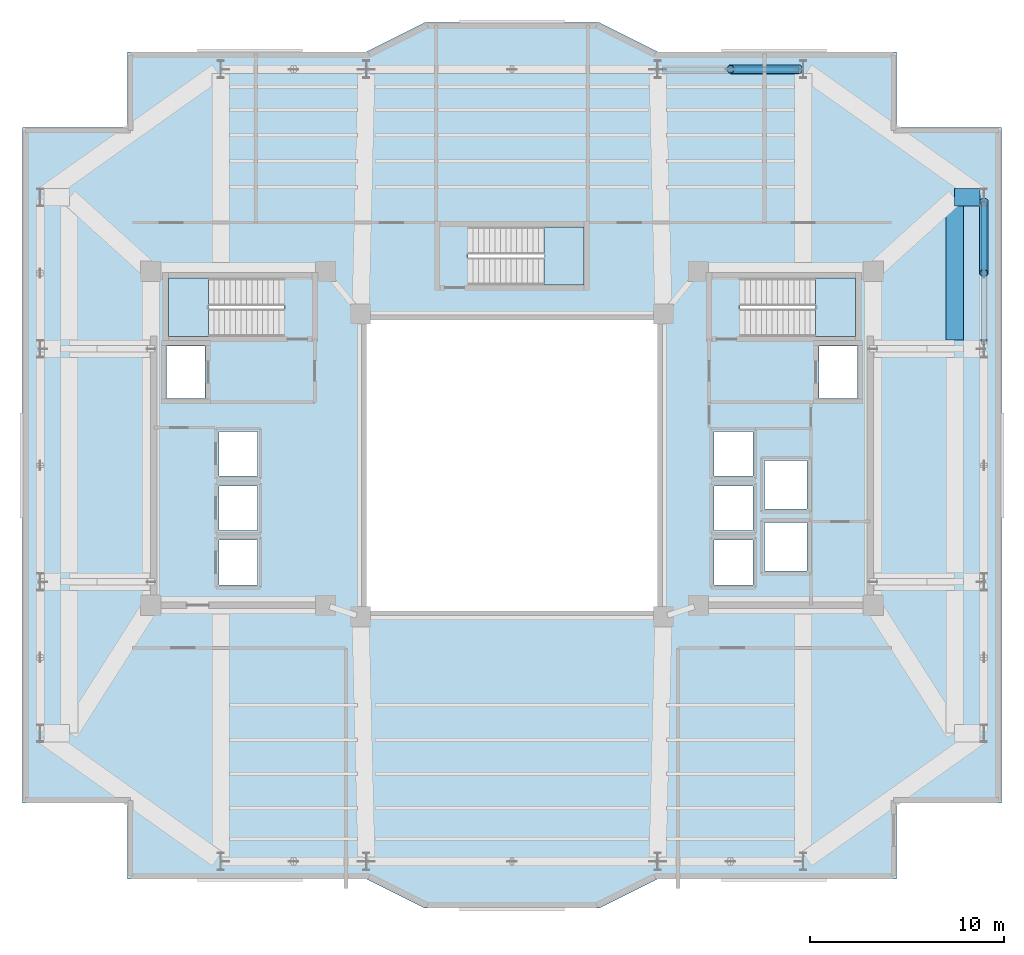
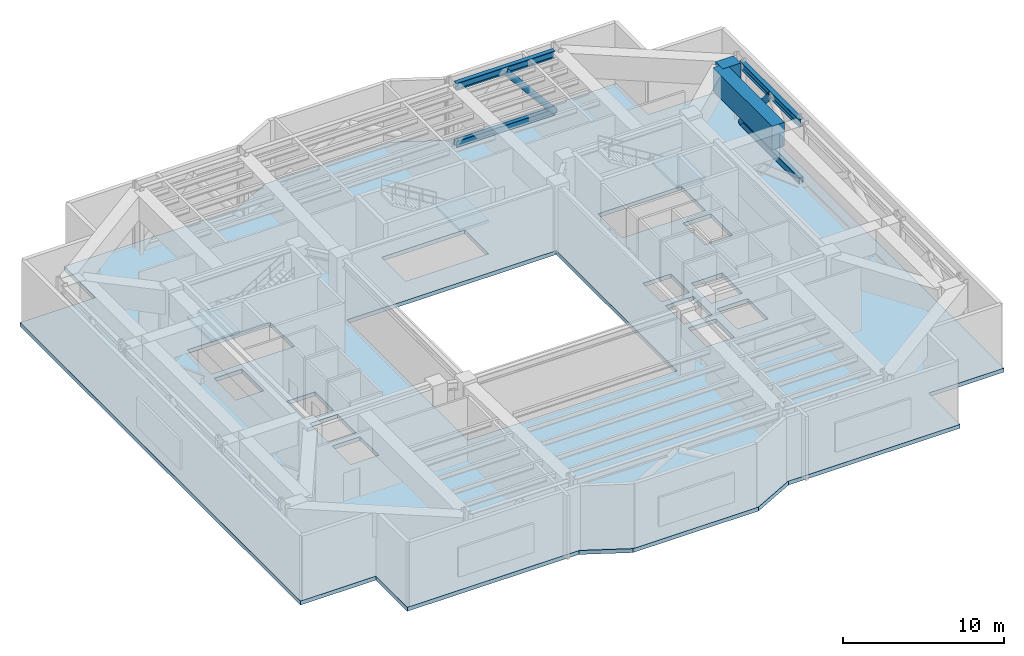
# One storey, part 3 of 13: 4 beams, 4 members, 4 slabs, 3 elements without a shape of their own.
"""IFC4 building model written with IfcOpenShell, lengths in metres."""

from ifc_helpers import new_model, si_unit, direction, frame, origin, origin_2d, place, context, subcontext, project, spatial, polyline, rectangle, hollow_rectangle, hollow_circle, i_section, outline, extrude, material, layer, layer_set, material_profile, profile_set, type_object, element, aggregate, save


model = new_model("IFC4")

# Units and contexts
model_context = context("Model", 3, precision=1e-05, world=origin(), true_north=direction((0.0, 1.0)))
body_context = subcontext(model_context, "Body", "Model", "MODEL_VIEW")
ifc_project = project(units=[si_unit("LENGTHUNIT", "METRE"), si_unit("AREAUNIT", "SQUARE_METRE"), si_unit("VOLUMEUNIT", "CUBIC_METRE"), si_unit("PLANEANGLEUNIT", "RADIAN"), si_unit("MASSUNIT", "GRAM", prefix="KILO")], contexts=[model_context])

# Site, building, storey
site_placement = place(None, origin())
site = spatial("IfcSite", under=ifc_project, at=site_placement, CompositionType="ELEMENT")
building_placement = place(site_placement, origin())
building = spatial("IfcBuilding", under=site, at=building_placement, Name="Tarnavaz Court Tower", CompositionType="ELEMENT")
storey_placement = place(building_placement, frame((0.0, 0.0, 181.800048828125)))
storey = spatial("IfcBuildingStorey", under=building, at=storey_placement, Name="L49", CompositionType="ELEMENT", Elevation=181.800048828125)

# Beams
ifc_material_1 = material(Name="Steel S460", Category="steel")
ifc_material_profile_1 = material_profile(ifc_material_1, i_section(OverallWidth=0.305908203125, OverallDepth=0.572021484375, WebThickness=0.02099609375, FlangeThickness=0.0400390625, FilletRadius=0.027099609375, at=origin_2d()), Name="HEM 550")
ifc_profile_set_1 = profile_set([ifc_material_profile_1], Name="Steel S460")
beam_type_1 = type_object("IfcBeamType", Name="BM-BT-HEM550", PredefinedType="USERDEFINED", material=ifc_profile_set_1)
beam_1_placement = place(storey_placement, frame((7.719970703125, 20.39990234375, 4.56396484375), z_axis=(1.0, 0.0, 0.0), x_axis=(0.0, 1.0, 0.0)))
element("IfcBeam", 1, at=beam_1_placement, inside=storey, type_object=beam_type_1, Name="L49 Beam PR-PN-3-PN-4", ObjectType="GIRDER", PredefinedType="USERDEFINED", context=body_context, shape_type="SweptSolid", body=[
    extrude(i_section(OverallWidth=0.305908203125, OverallDepth=0.572021484375, WebThickness=0.02099609375, FlangeThickness=0.0400390625, FilletRadius=0.027099609375, at=origin_2d()), origin(), (0.0, 0.0, 1.0), 7.06005859375),
])
beam_2_placement = place(storey_placement, frame((24.300048828125, 6.219970703125, 4.56396484375), z_axis=(0.0, 1.0, 0.0), x_axis=(-1.0, 0.0, 0.0)))
element("IfcBeam", 2, at=beam_2_placement, inside=storey, type_object=beam_type_1, Name="L49 Beam PR-PE-3-PE-4", ObjectType="GIRDER", PredefinedType="USERDEFINED", context=body_context, shape_type="SweptSolid", body=[
    extrude(i_section(OverallWidth=0.305908203125, OverallDepth=0.572021484375, WebThickness=0.02099609375, FlangeThickness=0.0400390625, FilletRadius=0.027099609375, at=origin_2d()), origin(), (0.0, 0.0, 1.0), 7.360107421875),
])
ifc_material_2 = material(Name="Concrete C50/60", Category="concrete")
ifc_material_profile_2 = material_profile(ifc_material_2, rectangle(XDim=0.89990234375, YDim=1.800048828125, at=origin_2d()), Name="RC 900X1800")
ifc_profile_set_2 = profile_set([ifc_material_profile_2], Name="Concrete C50/60")
beam_type_2 = type_object("IfcBeamType", Name="BM-TG1800", PredefinedType="USERDEFINED", material=ifc_profile_set_2)
beam_3_placement = place(storey_placement, frame((22.800048828125, 13.800048828125, 3.949951171875), z_axis=(1.0, 0.0, 0.0), x_axis=(0.0, 1.0, 0.0)))
element("IfcBeam", 3, at=beam_3_placement, inside=storey, type_object=beam_type_2, Name="L49 Beam TG-OUT-EN", ObjectType="GIRDER", PredefinedType="USERDEFINED", context=body_context, shape_type="SweptSolid", body=[
    extrude(rectangle(XDim=0.89990234375, YDim=1.800048828125, at=origin_2d()), origin(), (0.0, 0.0, 1.0), 1.300048828125),
])
beam_4_placement = place(storey_placement, frame((22.800048828125, 6.449951171875, 3.949951171875), z_axis=(0.0, 1.0, 0.0), x_axis=(-1.0, 0.0, 0.0)))
element("IfcBeam", 4, at=beam_4_placement, inside=storey, type_object=beam_type_2, Name="L49 Beam TG-TIE-E3", ObjectType="GIRDER", PredefinedType="USERDEFINED", context=body_context, shape_type="SweptSolid", body=[
    extrude(rectangle(XDim=0.89990234375, YDim=1.800048828125, at=origin_2d()), origin(), (0.0, 0.0, 1.0), 7.330078125),
])

# Members
ifc_material_profile_3 = material_profile(ifc_material_1, hollow_circle(Radius=0.228515625, WallThickness=0.02001953125, at=origin_2d()), Name="CHS 457X20")
ifc_profile_set_3 = profile_set([ifc_material_profile_3], Name="Steel S460")
member_type_1 = type_object("IfcMemberType", Name="MB-BT-CHS457", PredefinedType="BRACE", material=ifc_profile_set_3)
member_1_placement = place(storey_placement, frame((14.780029296875, 20.39990234375, 0.199951171875), z_axis=(-0.634508247424, 0.0, 0.772916091145), x_axis=(0.0, -1.0, 0.0)))
element("IfcMember", 5, at=member_1_placement, inside=storey, type_object=member_type_1, Name="L49 Belt Truss Diagonal 03B", PredefinedType="BRACE", context=body_context, shape_type="SweptSolid", body=[
    extrude(hollow_circle(Radius=0.228515625, WallThickness=0.02001953125, at=origin_2d()), origin(), (0.0, 0.0, 1.0), 5.5634765625),
])
member_2_placement = place(storey_placement, frame((24.300048828125, 13.580078125, 0.199951171875), z_axis=(0.0, -0.650222818954, 0.759743565758), x_axis=(1.0, 0.0, 0.0)))
element("IfcMember", 6, at=member_2_placement, inside=storey, type_object=member_type_1, Name="L49 Belt Truss Diagonal 09B", PredefinedType="BRACE", context=body_context, shape_type="SweptSolid", body=[
    extrude(hollow_circle(Radius=0.228515625, WallThickness=0.02001953125, at=origin_2d()), origin(), (0.0, 0.0, 1.0), 5.659912109375),
])
ifc_material_profile_4 = material_profile(ifc_material_1, hollow_rectangle(XDim=0.300048828125, YDim=0.5, WallThickness=0.02001953125, InnerFilletRadius=0.02001953125, OuterFilletRadius=0.0400390625, at=origin_2d()), Name="RHS 500X300X20")
ifc_profile_set_4 = profile_set([ifc_material_profile_4], Name="Steel S460")
member_type_2 = type_object("IfcMemberType", Name="MB-BT-RHS500", PredefinedType="CHORD", material=ifc_profile_set_4)
member_3_placement = place(storey_placement, frame((7.719970703125, 20.39990234375, 0.199951171875), z_axis=(1.0, 0.0, 0.0), x_axis=(0.0, 1.0, 0.0)))
element("IfcMember", 7, at=member_3_placement, inside=storey, type_object=member_type_2, Name="L49 Belt Truss Bottom Chord PN-3-PN-4", PredefinedType="CHORD", context=body_context, shape_type="SweptSolid", body=[
    extrude(hollow_rectangle(XDim=0.300048828125, YDim=0.5, WallThickness=0.02001953125, InnerFilletRadius=0.02001953125, OuterFilletRadius=0.0400390625, at=origin_2d()), origin(), (0.0, 0.0, 1.0), 7.06005859375),
])
member_4_placement = place(storey_placement, frame((24.300048828125, 6.219970703125, 0.199951171875), z_axis=(0.0, 1.0, 0.0), x_axis=(-1.0, 0.0, 0.0)))
element("IfcMember", 8, at=member_4_placement, inside=storey, type_object=member_type_2, Name="L49 Belt Truss Bottom Chord PE-3-PE-4", PredefinedType="CHORD", context=body_context, shape_type="SweptSolid", body=[
    extrude(hollow_rectangle(XDim=0.300048828125, YDim=0.5, WallThickness=0.02001953125, InnerFilletRadius=0.02001953125, OuterFilletRadius=0.0400390625, at=origin_2d()), origin(), (0.0, 0.0, 1.0), 7.360107421875),
])

# Stair, slab
ifc_material_3 = material(Name="Concrete C40/50", Category="concrete")
stair_type = type_object("IfcStairType", Name="ST-TWR-30R", PredefinedType="HALF_TURN_STAIR", material=ifc_material_3)
stair_1_placement = place(storey_placement, origin())
stair_1 = element("IfcStair", 9, at=stair_1_placement, inside=storey, type_object=stair_type, Name="L49 West Core Pressurized Exit Stair ST-W1", PredefinedType="HALF_TURN_STAIR")
ifc_layer_1 = layer(ifc_material_3, 0.199951171875)
ifc_layer_set_1 = layer_set([ifc_layer_1], Name="Concrete C40/50")
slab_type_1 = type_object("IfcSlabType", Name="SL-LAND-200", PredefinedType="LANDING", material=ifc_layer_set_1)
slab_1_placement = place(storey_placement, frame((0.0, 0.0, 2.349853515625)))
slab_1 = element("IfcSlab", 10, at=slab_1_placement, type_object=slab_type_1, Name="ST-W1 landing 1", PredefinedType="LANDING", context=body_context, shape_type="SweptSolid", body=[
    extrude(outline(polyline([(-15.639892578125, 9.639892578125), (-17.699951171875, 9.639892578125), (-17.699951171875, 6.64990234375), (-15.639892578125, 6.64990234375), (-15.639892578125, 9.639892578125)])), origin(), (0.0, 0.0, 1.0), 0.2001953125),
])
aggregate(stair_1, [slab_1])

stair_2_placement = place(storey_placement, origin())
stair_2 = element("IfcStair", 11, at=stair_2_placement, inside=storey, type_object=stair_type, Name="L49 East Core Pressurized Exit Stair ST-E1", PredefinedType="HALF_TURN_STAIR")
slab_2_placement = place(storey_placement, frame((0.0, 0.0, 2.349853515625)))
slab_2 = element("IfcSlab", 12, at=slab_2_placement, type_object=slab_type_1, Name="ST-E1 landing 1", PredefinedType="LANDING", context=body_context, shape_type="SweptSolid", body=[
    extrude(outline(polyline([(15.639892578125, 6.64990234375), (17.699951171875, 6.64990234375), (17.699951171875, 9.639892578125), (15.639892578125, 9.639892578125), (15.639892578125, 6.64990234375)])), origin(), (0.0, 0.0, 1.0), 0.2001953125),
])
aggregate(stair_2, [slab_2])

stair_3_placement = place(storey_placement, origin())
stair_3 = element("IfcStair", 13, at=stair_3_placement, inside=storey, type_object=stair_type, Name="L49 North Ring Pressurized Exit Stair ST-N1", PredefinedType="HALF_TURN_STAIR")
slab_3_placement = place(storey_placement, frame((0.0, 0.0, 2.349853515625)))
slab_3 = element("IfcSlab", 14, at=slab_3_placement, type_object=slab_type_1, Name="ST-N1 landing 1", PredefinedType="LANDING", context=body_context, shape_type="SweptSolid", body=[
    extrude(outline(polyline([(1.639892578125, 9.300048828125), (3.699951171875, 9.300048828125), (3.699951171875, 12.2900390625), (1.639892578125, 12.2900390625), (1.639892578125, 9.300048828125)])), origin(), (0.0, 0.0, 1.0), 0.2001953125),
])
aggregate(stair_3, [slab_3])

# Slab
ifc_layer_2 = layer(ifc_material_3, 0.300048828125)
ifc_layer_set_2 = layer_set([ifc_layer_2], Name="Concrete C40/50")
slab_type_2 = type_object("IfcSlabType", Name="SL-POD-300", PredefinedType="FLOOR", material=ifc_layer_set_2)
slab_4_placement = place(storey_placement, frame((0.0, 0.0, -0.300048828125)))
element("IfcSlab", 15, at=slab_4_placement, inside=storey, type_object=slab_type_2, Name="L49 Structural Floor Slab", PredefinedType="FLOOR", context=body_context, shape_type="SweptSolid", body=[
    extrude(outline(polyline([(-19.800048828125, -21.300048828125), (-7.5, -21.300048828125), (-4.5, -22.800048828125), (4.5, -22.800048828125), (7.5, -21.300048828125), (19.800048828125, -21.300048828125), (19.800048828125, -17.39990234375), (25.199951171875, -17.39990234375), (25.199951171875, 17.39990234375), (19.800048828125, 17.39990234375), (19.800048828125, 21.300048828125), (7.5, 21.300048828125), (4.5, 22.800048828125), (-4.5, 22.800048828125), (-7.5, 21.300048828125), (-19.800048828125, 21.300048828125), (-19.800048828125, 17.39990234375), (-25.199951171875, 17.39990234375), (-25.199951171875, -17.39990234375), (-19.800048828125, -17.39990234375), (-19.800048828125, -21.300048828125)]), holes=[polyline([(-7.5, -7.5), (7.5, -7.5), (7.5, 7.5), (-7.5, 7.5), (-7.5, -7.5)]), polyline([(-11.7451171875, 9.639892578125), (-17.699951171875, 9.639892578125), (-17.699951171875, 6.64990234375), (-11.7451171875, 6.64990234375), (-11.7451171875, 9.639892578125)]), polyline([(11.7451171875, 6.64990234375), (17.699951171875, 6.64990234375), (17.699951171875, 9.639892578125), (11.7451171875, 9.639892578125), (11.7451171875, 6.64990234375)]), polyline([(-2.2548828125, 9.300048828125), (3.699951171875, 9.300048828125), (3.699951171875, 12.2900390625), (-2.2548828125, 12.2900390625), (-2.2548828125, 9.300048828125)]), polyline([(-17.800048828125, 3.449951171875), (-15.800048828125, 3.449951171875), (-15.800048828125, 6.14990234375), (-17.800048828125, 6.14990234375), (-17.800048828125, 3.449951171875)]), polyline([(-15.10009765625, -6.14990234375), (-13.10009765625, -6.14990234375), (-13.10009765625, -3.85009765625), (-15.10009765625, -3.85009765625), (-15.10009765625, -6.14990234375)]), polyline([(-15.10009765625, -3.35009765625), (-13.10009765625, -3.35009765625), (-13.10009765625, -1.050048828125), (-15.10009765625, -1.050048828125), (-15.10009765625, -3.35009765625)]), polyline([(-15.10009765625, -0.550048828125), (-13.10009765625, -0.550048828125), (-13.10009765625, 1.75), (-15.10009765625, 1.75), (-15.10009765625, -0.550048828125)]), polyline([(15.800048828125, 3.449951171875), (17.800048828125, 3.449951171875), (17.800048828125, 6.14990234375), (15.800048828125, 6.14990234375), (15.800048828125, 3.449951171875)]), polyline([(10.39990234375, -6.14990234375), (12.39990234375, -6.14990234375), (12.39990234375, -3.85009765625), (10.39990234375, -3.85009765625), (10.39990234375, -6.14990234375)]), polyline([(10.39990234375, -3.35009765625), (12.39990234375, -3.35009765625), (12.39990234375, -1.050048828125), (10.39990234375, -1.050048828125), (10.39990234375, -3.35009765625)]), polyline([(10.39990234375, -0.550048828125), (12.39990234375, -0.550048828125), (12.39990234375, 1.75), (10.39990234375, 1.75), (10.39990234375, -0.550048828125)]), polyline([(13.0, -5.449951171875), (15.199951171875, -5.449951171875), (15.199951171875, -2.949951171875), (13.0, -2.949951171875), (13.0, -5.449951171875)]), polyline([(13.0, -2.25), (15.199951171875, -2.25), (15.199951171875, 0.25), (13.0, 0.25), (13.0, -2.25)])]), origin(), (0.0, 0.0, 1.0), 0.300048828125),
])

save(model, "model.ifc")
